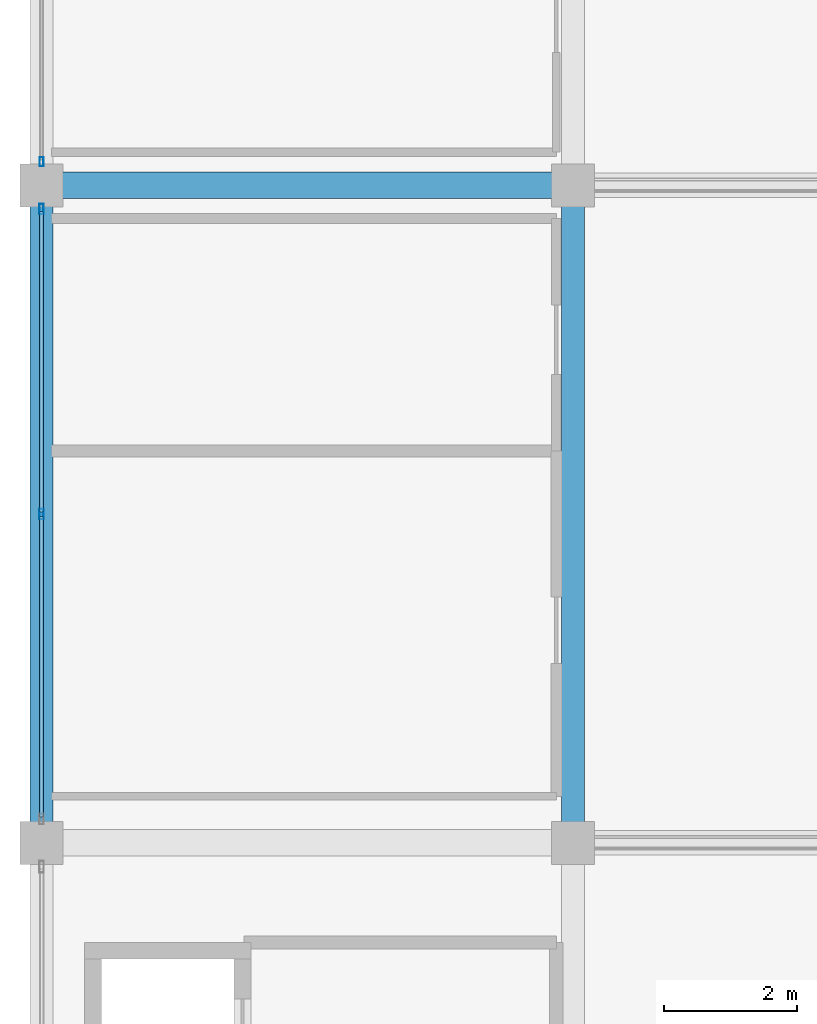
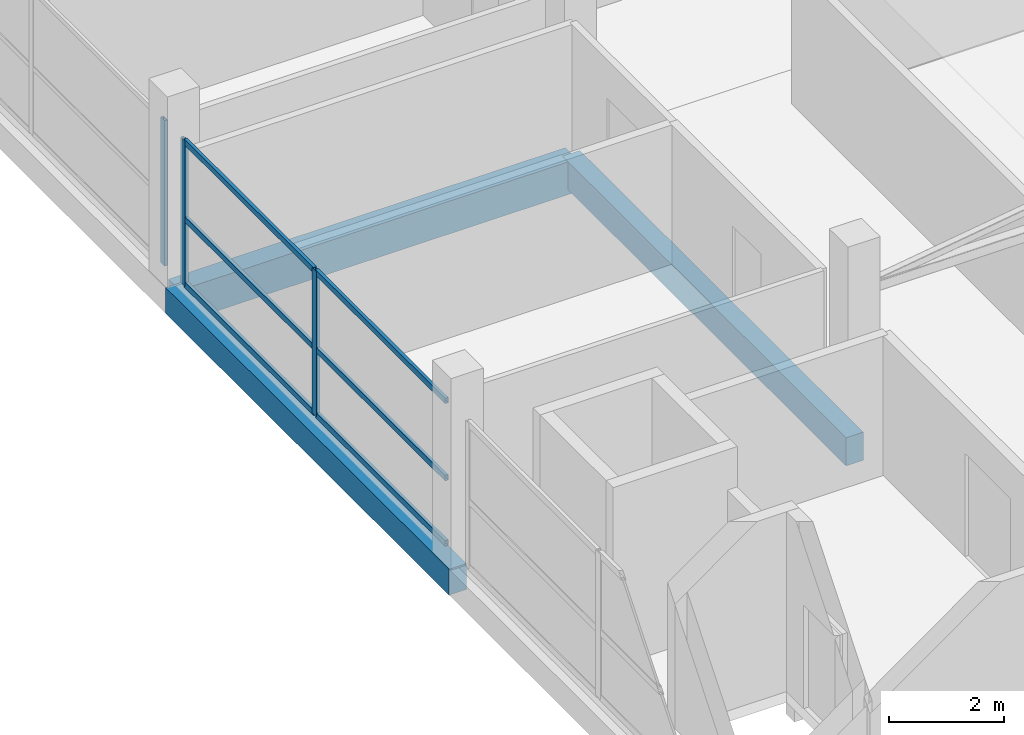
# One storey, part 21 of 66: 9 members, 3 beams, 2 elements without a shape of their own.
"""IFC4 building model written with IfcOpenShell, lengths in metres."""

from ifc_helpers import new_model, si_unit, direction, frame, origin, origin_2d, place, context, subcontext, project, spatial, rectangle, hollow_rectangle, extrude, material, layer, layer_set, material_profile, profile_set, type_object, element, aggregate, save


model = new_model("IFC4")

# Units and contexts
model_context = context("Model", 3, precision=1e-05, world=origin(), true_north=direction((0.0, 1.0)))
body_context = subcontext(model_context, "Body", "Model", "MODEL_VIEW")
ifc_project = project(units=[si_unit("LENGTHUNIT", "METRE"), si_unit("AREAUNIT", "SQUARE_METRE"), si_unit("VOLUMEUNIT", "CUBIC_METRE"), si_unit("PLANEANGLEUNIT", "RADIAN"), si_unit("MASSUNIT", "GRAM", prefix="KILO")], contexts=[model_context])

# Site, building, storey
site_placement = place(None, origin())
site = spatial("IfcSite", under=ifc_project, at=site_placement, CompositionType="ELEMENT")
building_placement = place(site_placement, origin())
building = spatial("IfcBuilding", under=site, at=building_placement, Name="Sillaruma Civic Art Gallery", CompositionType="ELEMENT")
storey_placement = place(building_placement, frame((0.0, 0.0, 62.219970703125)))
storey = spatial("IfcBuildingStorey", under=building, at=storey_placement, Name="L12", CompositionType="ELEMENT", Elevation=62.219970703125)

# Beams
ifc_material_1 = material(Name="Concrete H35 (35 MPa)", Category="concrete")
ifc_material_profile_1 = material_profile(ifc_material_1, rectangle(XDim=0.35009765625, YDim=0.60009765625, at=origin_2d()), Name="RCB350x600")
ifc_profile_set_1 = profile_set([ifc_material_profile_1], Name="Concrete H35 (35 MPa)")
beam_type_1 = type_object("IfcBeamType", Name="BM-BEAM-RCB350x600", PredefinedType="BEAM", material=ifc_profile_set_1)
beam_1_placement = place(storey_placement, frame((70.0, 49.5, -0.530029296875), z_axis=(0.0, 1.0, 0.0), x_axis=(-1.0, 0.0, 0.0)))
element("IfcBeam", 1, at=beam_1_placement, inside=storey, type_object=beam_type_1, Name="Beam BM-06 (L11:G:6-7)", PredefinedType="BEAM", context=body_context, shape_type="SweptSolid", body=[
    extrude(rectangle(XDim=0.35009765625, YDim=0.60009765625, at=origin_2d()), origin(), (0.0, 0.0, 1.0), 9.89990234375),
])
ifc_material_profile_2 = material_profile(ifc_material_1, rectangle(XDim=0.39990234375, YDim=0.699951171875, at=origin_2d()), Name="RCB400x700")
ifc_profile_set_2 = profile_set([ifc_material_profile_2], Name="Concrete H35 (35 MPa)")
beam_type_2 = type_object("IfcBeamType", Name="BM-BEAM-RCB400x700", PredefinedType="BEAM", material=ifc_profile_set_2)
beam_2_placement = place(storey_placement, frame((62.0, 59.39990234375, -0.580078125), z_axis=(1.0, 0.0, 0.0), x_axis=(0.0, 1.0, 0.0)))
element("IfcBeam", 2, at=beam_2_placement, inside=storey, type_object=beam_type_2, Name="Beam BM-04 (L11:7:F-G)", PredefinedType="BEAM", context=body_context, shape_type="SweptSolid", body=[
    extrude(rectangle(XDim=0.39990234375, YDim=0.699951171875, at=origin_2d()), origin(), (0.0, 0.0, 1.0), 8.0),
])
ifc_material_profile_3 = material_profile(ifc_material_1, rectangle(XDim=0.35009765625, YDim=0.550048828125, at=origin_2d()), Name="RCB350x550")
ifc_profile_set_3 = profile_set([ifc_material_profile_3], Name="Concrete H35 (35 MPa)")
beam_type_3 = type_object("IfcBeamType", Name="BM-SPANDREL-RCB350x550", PredefinedType="SPANDREL", material=ifc_profile_set_3)
beam_3_placement = place(storey_placement, frame((62.0, 49.5, -0.5048828125), z_axis=(0.0, 1.0, 0.0), x_axis=(-1.0, 0.0, 0.0)))
element("IfcBeam", 3, at=beam_3_placement, inside=storey, type_object=beam_type_3, Name="Beam BS-04 (L11:F:6-7)", PredefinedType="SPANDREL", context=body_context, shape_type="SweptSolid", body=[
    extrude(rectangle(XDim=0.35009765625, YDim=0.550048828125, at=origin_2d()), origin(), (0.0, 0.0, 1.0), 9.89990234375),
])

# Curtain wall, member
ifc_material_2 = material(Name="Thermally Broken Extruded Aluminium 6063-T6", Category="aluminium")
ifc_layer_1 = layer(ifc_material_2, 0.139892578125, Name="Thermally Broken Extruded Aluminium 6063-T6")
ifc_layer_set_1 = layer_set([ifc_layer_1], Name="Thermally Broken Extruded Aluminium 6063-T6")
curtain_wall_type_1 = type_object("IfcCurtainWallType", Name="CW-UNI-93", PredefinedType="NOTDEFINED", material=ifc_layer_set_1)
curtain_wall_1_placement = place(storey_placement, origin())
curtain_wall_1 = element("IfcCurtainWall", 4, at=curtain_wall_1_placement, inside=storey, type_object=curtain_wall_type_1, Name="Unitised Curtain Wall CW-93 (CW-L12-WBW-5)", PredefinedType="NOTDEFINED")
ifc_material_profile_4 = material_profile(ifc_material_2, hollow_rectangle(XDim=0.06005859375, YDim=0.139892578125, WallThickness=0.00341796875, at=origin_2d()), Name="CWM60x140")
ifc_profile_set_4 = profile_set([ifc_material_profile_4], Name="Thermally Broken Extruded Aluminium 6063-T6")
member_type_1 = type_object("IfcMemberType", Name="MEM-MUL-CWM60x140", PredefinedType="MULLION", material=ifc_profile_set_4)
member_1_placement = place(storey_placement, frame((62.0, 59.7548828125, 0.0), z_axis=(0.0, 0.0, 1.0), x_axis=(-1.0, 0.0, 0.0)))
member_1 = element("IfcMember", 5, at=member_1_placement, type_object=member_type_1, Name="CW-93 mullion 1", PredefinedType="MULLION", context=body_context, shape_type="SweptSolid", body=[
    extrude(hollow_rectangle(XDim=0.06005859375, YDim=0.139892578125, WallThickness=0.00341796875, at=origin_2d()), origin(), (0.0, 0.0, 1.0), 3.10009765625),
])
aggregate(curtain_wall_1, [member_1])

# Curtain wall, members
ifc_layer_2 = layer(ifc_material_2, 0.159912109375, Name="Thermally Broken Extruded Aluminium 6063-T6")
ifc_layer_set_2 = layer_set([ifc_layer_2], Name="Thermally Broken Extruded Aluminium 6063-T6")
curtain_wall_type_2 = type_object("IfcCurtainWallType", Name="CW-UNI-91", PredefinedType="NOTDEFINED", material=ifc_layer_set_2)
curtain_wall_2_placement = place(storey_placement, origin())
curtain_wall_2 = element("IfcCurtainWall", 6, at=curtain_wall_2_placement, inside=storey, type_object=curtain_wall_type_2, Name="Unitised Curtain Wall CW-91 (CW-L12-WBW-4)", PredefinedType="NOTDEFINED")
ifc_material_profile_5 = material_profile(ifc_material_2, hollow_rectangle(XDim=0.06494140625, YDim=0.159912109375, WallThickness=0.00390625, at=origin_2d()), Name="CWM65x160")
ifc_profile_set_5 = profile_set([ifc_material_profile_5], Name="Thermally Broken Extruded Aluminium 6063-T6")
member_type_2 = type_object("IfcMemberType", Name="MEM-MUL-CWM65x160", PredefinedType="MULLION", material=ifc_profile_set_5)
member_2_placement = place(storey_placement, frame((62.0, 54.449951171875, 0.0), z_axis=(0.0, 0.0, 1.0), x_axis=(-1.0, 0.0, 0.0)))
member_2 = element("IfcMember", 7, at=member_2_placement, type_object=member_type_2, Name="CW-91 mullion 2", PredefinedType="MULLION", context=body_context, shape_type="SweptSolid", body=[
    extrude(hollow_rectangle(XDim=0.06494140625, YDim=0.159912109375, WallThickness=0.00390625, at=origin_2d()), origin(), (0.0, 0.0, 1.0), 3.10009765625),
])
member_3_placement = place(storey_placement, frame((62.0, 59.04248046875, 0.0), z_axis=(0.0, 0.0, 1.0), x_axis=(-1.0, 0.0, 0.0)))
member_3 = element("IfcMember", 8, at=member_3_placement, type_object=member_type_2, Name="CW-91 mullion 3", PredefinedType="MULLION", context=body_context, shape_type="SweptSolid", body=[
    extrude(hollow_rectangle(XDim=0.06494140625, YDim=0.159912109375, WallThickness=0.00390625, at=origin_2d()), origin(), (0.0, 0.0, 1.0), 3.10009765625),
])
ifc_material_profile_6 = material_profile(ifc_material_2, hollow_rectangle(XDim=0.06494140625, YDim=0.1201171875, WallThickness=0.00341796875, at=origin_2d()), Name="CWT65x120")
ifc_profile_set_6 = profile_set([ifc_material_profile_6], Name="Thermally Broken Extruded Aluminium 6063-T6")
member_type_3 = type_object("IfcMemberType", Name="MEM-TRN-CWT65x120", PredefinedType="USERDEFINED", material=ifc_profile_set_6)
member_4_placement = place(storey_placement, frame((62.0, 49.889892578125, 0.032470703125), z_axis=(0.0, 1.0, 0.0), x_axis=(-1.0, 0.0, 0.0)))
member_4 = element("IfcMember", 9, at=member_4_placement, type_object=member_type_3, Name="CW-91 transom 1.1", ObjectType="TRANSOM", PredefinedType="USERDEFINED", context=body_context, shape_type="SweptSolid", body=[
    extrude(hollow_rectangle(XDim=0.06494140625, YDim=0.1201171875, WallThickness=0.00341796875, at=origin_2d()), origin(), (0.0, 0.0, 1.0), 4.527587890625),
])
member_5_placement = place(storey_placement, frame((62.0, 49.889892578125, 1.426025390625), z_axis=(0.0, 1.0, 0.0), x_axis=(-1.0, 0.0, 0.0)))
member_5 = element("IfcMember", 10, at=member_5_placement, type_object=member_type_3, Name="CW-91 transom 1.2", ObjectType="TRANSOM", PredefinedType="USERDEFINED", context=body_context, shape_type="SweptSolid", body=[
    extrude(hollow_rectangle(XDim=0.06494140625, YDim=0.1201171875, WallThickness=0.00341796875, at=origin_2d()), origin(), (0.0, 0.0, 1.0), 4.527587890625),
])
member_6_placement = place(storey_placement, frame((62.0, 49.889892578125, 3.067626953125), z_axis=(0.0, 1.0, 0.0), x_axis=(-1.0, 0.0, 0.0)))
member_6 = element("IfcMember", 11, at=member_6_placement, type_object=member_type_3, Name="CW-91 transom 1.3", ObjectType="TRANSOM", PredefinedType="USERDEFINED", context=body_context, shape_type="SweptSolid", body=[
    extrude(hollow_rectangle(XDim=0.06494140625, YDim=0.1201171875, WallThickness=0.00341796875, at=origin_2d()), origin(), (0.0, 0.0, 1.0), 4.527587890625),
])
member_7_placement = place(storey_placement, frame((62.0, 54.482421875, 0.032470703125), z_axis=(0.0, 1.0, 0.0), x_axis=(-1.0, 0.0, 0.0)))
member_7 = element("IfcMember", 12, at=member_7_placement, type_object=member_type_3, Name="CW-91 transom 2.1", ObjectType="TRANSOM", PredefinedType="USERDEFINED", context=body_context, shape_type="SweptSolid", body=[
    extrude(hollow_rectangle(XDim=0.06494140625, YDim=0.1201171875, WallThickness=0.00341796875, at=origin_2d()), origin(), (0.0, 0.0, 1.0), 4.527587890625),
])
member_8_placement = place(storey_placement, frame((62.0, 54.482421875, 1.426025390625), z_axis=(0.0, 1.0, 0.0), x_axis=(-1.0, 0.0, 0.0)))
member_8 = element("IfcMember", 13, at=member_8_placement, type_object=member_type_3, Name="CW-91 transom 2.2", ObjectType="TRANSOM", PredefinedType="USERDEFINED", context=body_context, shape_type="SweptSolid", body=[
    extrude(hollow_rectangle(XDim=0.06494140625, YDim=0.1201171875, WallThickness=0.00341796875, at=origin_2d()), origin(), (0.0, 0.0, 1.0), 4.527587890625),
])
member_9_placement = place(storey_placement, frame((62.0, 54.482421875, 3.067626953125), z_axis=(0.0, 1.0, 0.0), x_axis=(-1.0, 0.0, 0.0)))
member_9 = element("IfcMember", 14, at=member_9_placement, type_object=member_type_3, Name="CW-91 transom 2.3", ObjectType="TRANSOM", PredefinedType="USERDEFINED", context=body_context, shape_type="SweptSolid", body=[
    extrude(hollow_rectangle(XDim=0.06494140625, YDim=0.1201171875, WallThickness=0.00341796875, at=origin_2d()), origin(), (0.0, 0.0, 1.0), 4.527587890625),
])
aggregate(curtain_wall_2, [member_2, member_3, member_4, member_5, member_6, member_7, member_8, member_9])

save(model, "model.ifc")
